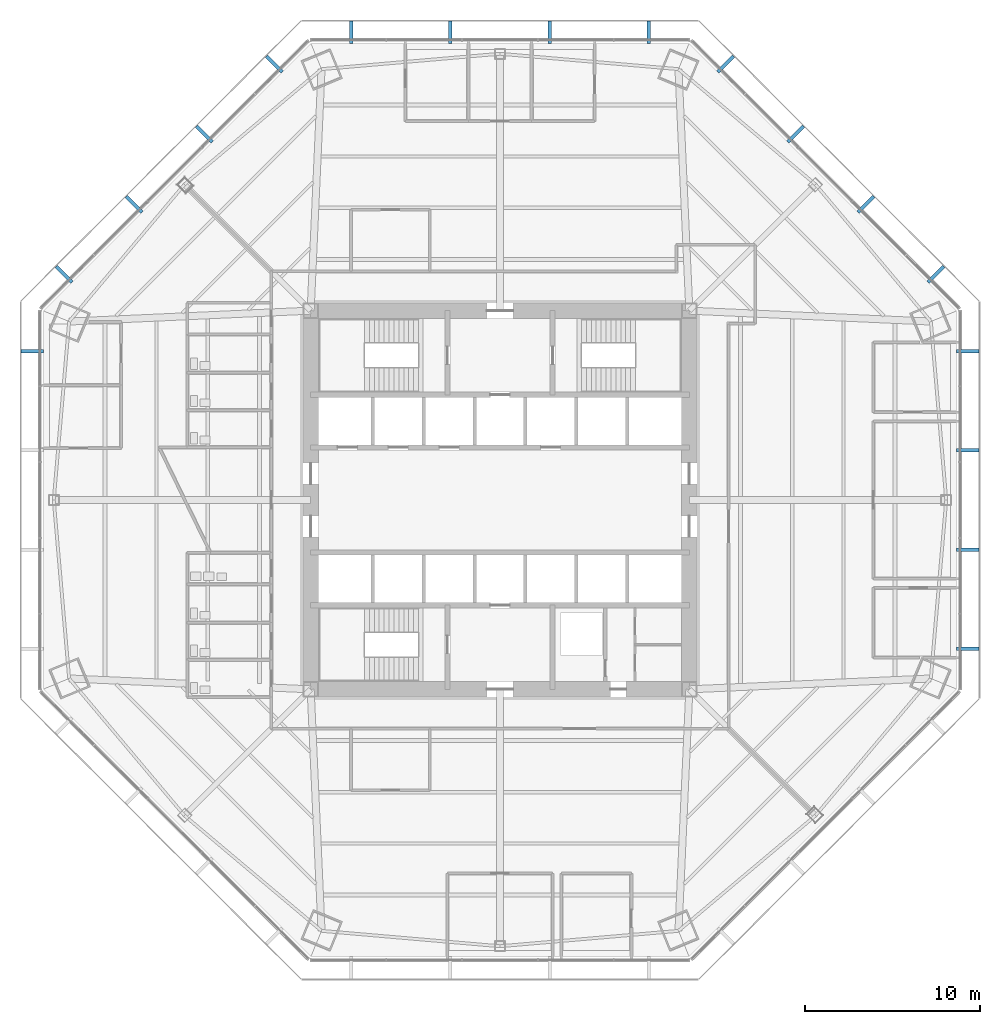
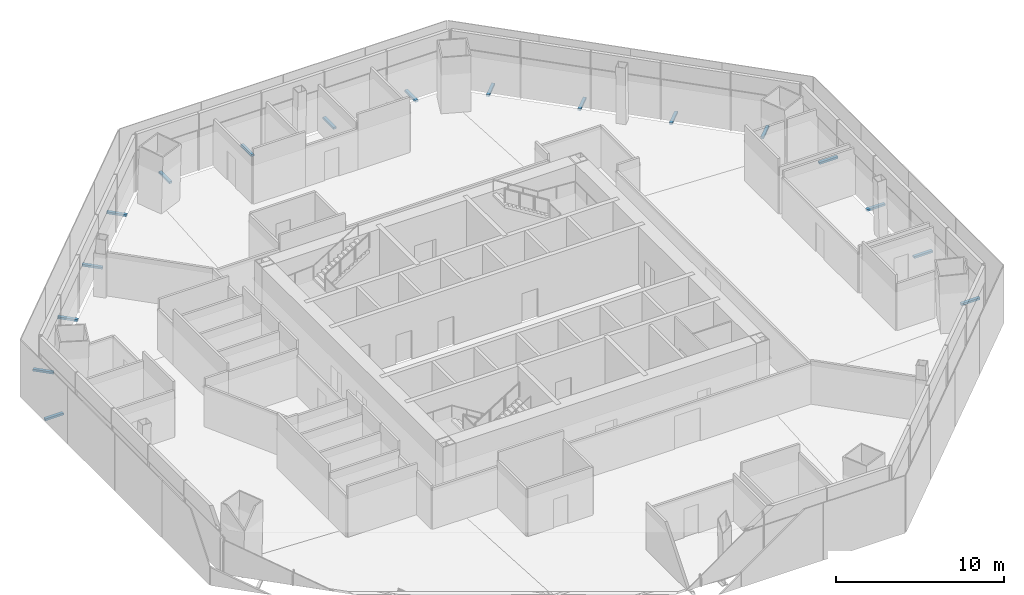
# One storey, part 12 of 15: 17 discrete accessories.
"""IFC4 building model written with IfcOpenShell, lengths in metres."""

from ifc_helpers import new_model, si_unit, direction, frame, origin, origin_2d, place, context, subcontext, project, spatial, rectangle, extrude, source, transform, mapped, material, type_object, type_shapes, element, save


model = new_model("IFC4")

# Units and contexts
model_context = context("Model", 3, precision=1e-05, world=origin(), true_north=direction((0.0, 1.0)))
body_context = subcontext(model_context, "Body", "Model", "MODEL_VIEW")
ifc_project = project(units=[si_unit("LENGTHUNIT", "METRE"), si_unit("AREAUNIT", "SQUARE_METRE"), si_unit("VOLUMEUNIT", "CUBIC_METRE"), si_unit("PLANEANGLEUNIT", "RADIAN"), si_unit("MASSUNIT", "GRAM", prefix="KILO")], contexts=[model_context])

# Site, building, storey
site_placement = place(None, origin())
site = spatial("IfcSite", under=ifc_project, at=site_placement, CompositionType="ELEMENT")
building_placement = place(site_placement, origin())
building = spatial("IfcBuilding", under=site, at=building_placement, Name="Mashrafa Tower", CompositionType="ELEMENT")
storey_placement = place(building_placement, frame((0.0, 0.0, 62.39990234375)))
storey = spatial("IfcBuildingStorey", under=building, at=storey_placement, Name="L13", CompositionType="ELEMENT", Elevation=62.39990234375)

# Discrete accessories
ifc_material = material(Name="Stainless steel screen bracket", Category="steel")
discrete_accessory_type = type_object("IfcDiscreteAccessoryType", Name="Screen support bracket 200 x 150", PredefinedType="BRACKET", material=ifc_material)
shared_shape = source(origin(), body_context, "Body", "SweptSolid", [
    extrude(rectangle(XDim=0.199951171875, YDim=1.27001953125, at=origin_2d()), origin(), (0.0, 0.0, 1.0), 0.14990234375),
])
type_shapes(discrete_accessory_type, [shared_shape])
for number, where, z_axis, x_axis, name in (
    (1, (26.6845703125, -8.4794921875, -0.14990234375), (0.0, 0.0, 1.0), (0.0, 1.0, 0.0), "Screen support bracket L13 east 1"),
    (2, (26.6845703125, -2.826416015625, -0.14990234375), (0.0, 0.0, 1.0), (0.0, 1.0, 0.0), "Screen support bracket L13 east 2"),
    (3, (26.6845703125, 2.826416015625, -0.14990234375), (0.0, 0.0, 1.0), (0.0, 1.0, 0.0), "Screen support bracket L13 east 3"),
    (4, (26.6845703125, 8.4794921875, -0.14990234375), (0.0, 0.0, 1.0), (0.0, 1.0, 0.0), "Screen support bracket L13 east 4"),
    (5, (24.86474609375, 12.872802734375, -0.14990234375), (0.0, 0.0, 1.0), (-0.707106781187, 0.707106781187, 0.0), "Screen support bracket L13 north-east 1"),
    (6, (20.867431640625, 16.8701171875, -0.14990234375), (0.0, 0.0, 1.0), (-0.707106781187, 0.707106781187, 0.0), "Screen support bracket L13 north-east 2"),
    (7, (16.8701171875, 20.867431640625, -0.14990234375), (0.0, 0.0, 1.0), (-0.707106781187, 0.707106781187, 0.0), "Screen support bracket L13 north-east 3"),
    (8, (12.872802734375, 24.86474609375, -0.14990234375), (0.0, 0.0, 1.0), (-0.707106781187, 0.707106781187, 0.0), "Screen support bracket L13 north-east 4"),
    (9, (8.4794921875, 26.6845703125, -0.14990234375), (0.0, 0.0, 1.0), (-1.0, 0.0, 0.0), "Screen support bracket L13 north 1"),
    (10, (2.826416015625, 26.6845703125, -0.14990234375), (0.0, 0.0, 1.0), (-1.0, 0.0, 0.0), "Screen support bracket L13 north 2"),
    (11, (-2.826416015625, 26.6845703125, -0.14990234375), (0.0, 0.0, 1.0), (-1.0, 0.0, 0.0), "Screen support bracket L13 north 3"),
    (12, (-8.4794921875, 26.6845703125, -0.14990234375), (0.0, 0.0, 1.0), (-1.0, 0.0, 0.0), "Screen support bracket L13 north 4"),
    (13, (-12.872802734375, 24.86474609375, -0.14990234375), (0.0, 0.0, 1.0), (-0.707106781187, -0.707106781187, 0.0), "Screen support bracket L13 north-west 1"),
    (14, (-16.8701171875, 20.867431640625, -0.14990234375), (0.0, 0.0, 1.0), (-0.707106781187, -0.707106781187, 0.0), "Screen support bracket L13 north-west 2"),
    (15, (-20.867431640625, 16.8701171875, -0.14990234375), (0.0, 0.0, 1.0), (-0.707106781187, -0.707106781187, 0.0), "Screen support bracket L13 north-west 3"),
    (16, (-24.86474609375, 12.872802734375, -0.14990234375), (0.0, 0.0, 1.0), (-0.707106781187, -0.707106781187, 0.0), "Screen support bracket L13 north-west 4"),
    (17, (-26.6845703125, 8.4794921875, -0.14990234375), (0.0, 0.0, 1.0), (0.0, -1.0, 0.0), "Screen support bracket L13 west 1"),
):
    element("IfcDiscreteAccessory", number, at=place(storey_placement, frame(where, z_axis=z_axis, x_axis=x_axis)), inside=storey, type_object=discrete_accessory_type, Name=name, PredefinedType="BRACKET", context=body_context, shape_type="MappedRepresentation", body=[
        mapped(shared_shape, transform((0.0, 0.0, 0.0))),
    ])

save(model, "model.ifc")
